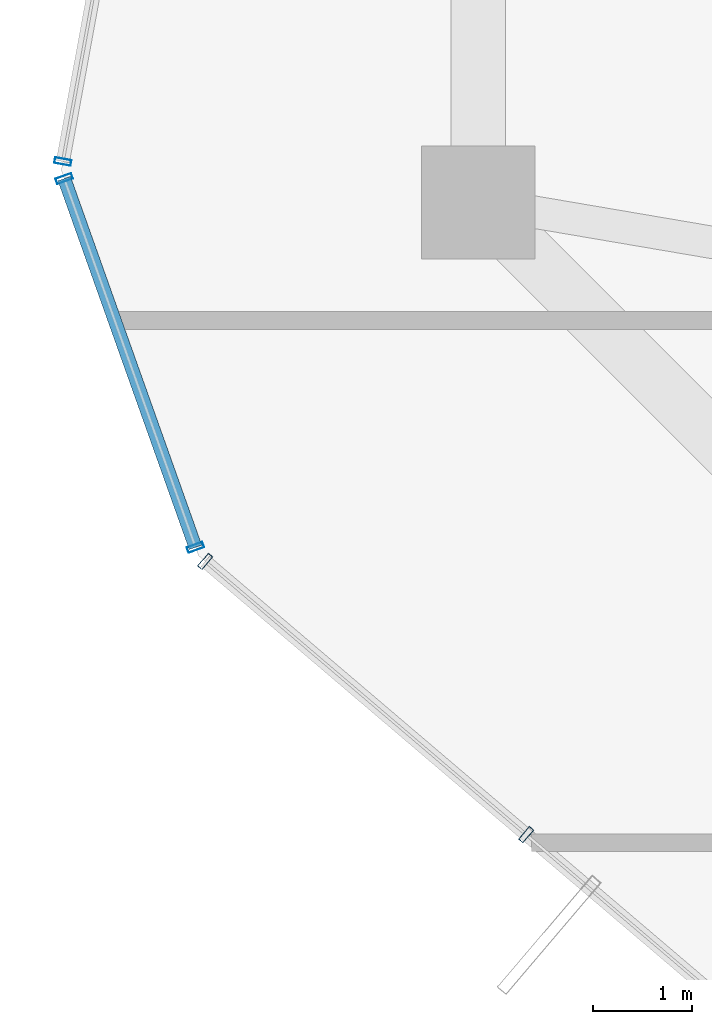
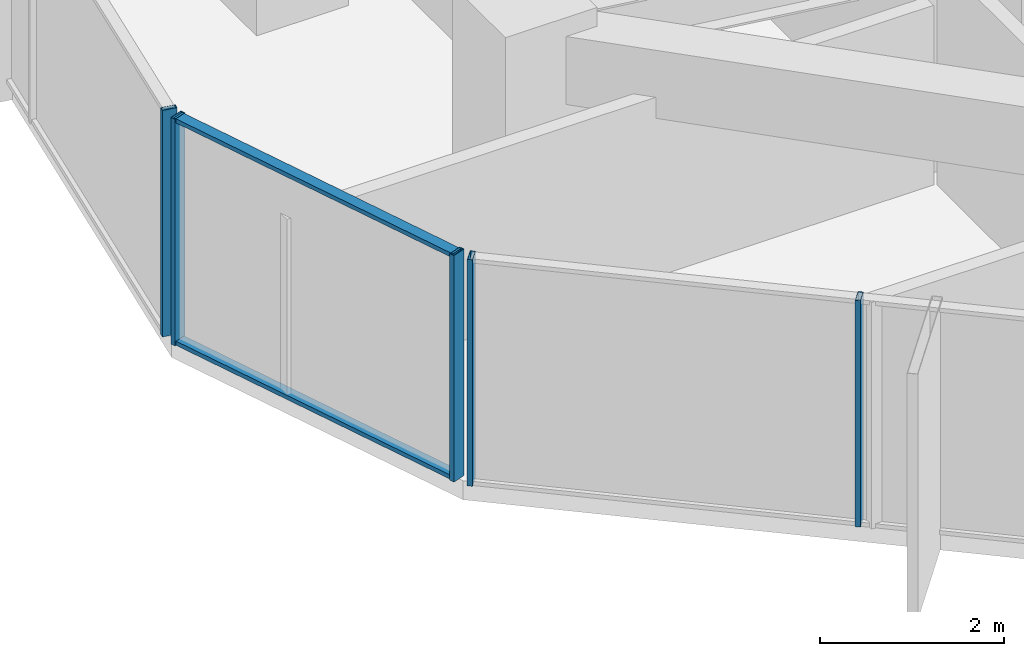
# One storey, part 5 of 33: 7 members, 3 elements without a shape of their own.
"""IFC4 building model written with IfcOpenShell, lengths in metres."""

import ifcopenshell
import ifcopenshell.guid

model = None  # the IFC model being written
_history = None  # IfcOwnerHistory: only IFC2X3 demands one
_inside = {}  # id of a spatial element -> (the spatial element, [elements in it])
_under = {}  # id of a project, library or spatial element -> (it, [spatial elements below it])
_declared = {}  # id of a project -> (the project, [libraries it declares])
_typed = {}  # id of a type object -> (the type object, [elements of that type])
_made_of = {}  # id of a material, layer set ... -> (it, [elements and type objects made of it])


def new_model(schema):
    """Start an empty IFC model of exactly this schema.

    Asked for "IFC4X3", IfcOpenShell would pick the latest addendum, in which some entities
    have other attributes; the version numbers below select the first issue.
    IFC2X3 requires an IfcOwnerHistory on every rooted entity: one is made here for all.
    """
    global model, _history
    if schema == "IFC4X3":
        model = ifcopenshell.file(schema_version=(4, 3, 0, 0))
    else:
        model = ifcopenshell.file(schema=schema)
    _inside.clear()
    _under.clear()
    _declared.clear()
    _typed.clear()
    _made_of.clear()
    _history = None
    if model.schema == "IFC2X3":
        org = make("IfcOrganization", Name="unknown")
        user = make(
            "IfcPersonAndOrganization",
            ThePerson=make("IfcPerson", FamilyName="unknown"),
            TheOrganization=org,
        )
        app = make(
            "IfcApplication",
            ApplicationDeveloper=org,
            Version="unknown",
            ApplicationFullName="unknown",
            ApplicationIdentifier="unknown",
        )
        _history = make(
            "IfcOwnerHistory",
            OwningUser=user,
            OwningApplication=app,
            ChangeAction="ADDED",
            CreationDate=0,
        )
    return model


def make(cls, **values):
    """One entity of the class cls with the attributes given. An attribute that is None is left unset."""
    return model.create_entity(
        cls, **{name: value for name, value in values.items() if value is not None}
    )


def rooted(cls, **values):
    """An entity with a GlobalId (a new one), such as an element, a storey or a relation."""
    return make(cls, GlobalId=ifcopenshell.guid.new(), OwnerHistory=_history, **values)


def si_unit(unit_type, name, prefix=None):
    """IfcSIUnit, for example si_unit("LENGTHUNIT", "METRE", prefix="MILLI")."""
    return make("IfcSIUnit", UnitType=unit_type, Prefix=prefix, Name=name)


def assignment(units):
    """IfcUnitAssignment: the units of a project."""
    return None if units is None else make("IfcUnitAssignment", Units=units)


def point(xyz):
    """IfcCartesianPoint."""
    return None if xyz is None else make("IfcCartesianPoint", Coordinates=xyz)


def direction(xyz):
    """IfcDirection."""
    return None if xyz is None else make("IfcDirection", DirectionRatios=xyz)


def frame(location, z_axis=None, x_axis=None):
    """IfcAxis2Placement3D, a coordinate frame: its origin and axes. An axis left out is left unset."""
    return make(
        "IfcAxis2Placement3D",
        Location=point(location),
        Axis=direction(z_axis),
        RefDirection=direction(x_axis),
    )


def frame_2d(location, x_axis=None):
    """IfcAxis2Placement2D, a coordinate frame in the plane: its origin and x axis."""
    return make(
        "IfcAxis2Placement2D", Location=point(location), RefDirection=direction(x_axis)
    )


def origin():
    """The frame at (0, 0, 0) with its axes left unset."""
    return frame((0.0, 0.0, 0.0))


def origin_2d():
    """The frame at (0, 0) in the plane with its x axis left unset."""
    return frame_2d((0.0, 0.0))


def place(relative_to, where):
    """IfcLocalPlacement: puts the frame where relative to a parent placement (None: the world)."""
    return make(
        "IfcLocalPlacement", PlacementRelTo=relative_to, RelativePlacement=where
    )


def context(
    kind, dimensions, precision=None, world=None, true_north=None, identifier=None
):
    """IfcGeometricRepresentationContext, for example the 3D "Model" context."""
    return make(
        "IfcGeometricRepresentationContext",
        ContextIdentifier=identifier,
        ContextType=kind,
        CoordinateSpaceDimension=dimensions,
        Precision=precision,
        WorldCoordinateSystem=world,
        TrueNorth=true_north,
    )


def subcontext(parent, identifier, kind, view, scale=None):
    """IfcGeometricRepresentationSubContext, for example "Body" below "Model"."""
    return make(
        "IfcGeometricRepresentationSubContext",
        ContextIdentifier=identifier,
        ContextType=kind,
        ParentContext=parent,
        TargetScale=scale,
        TargetView=view,
    )


def project(units=None, contexts=None):
    """IfcProject with its units and contexts."""
    return rooted(
        "IfcProject",
        Name="project",
        RepresentationContexts=contexts,
        UnitsInContext=assignment(units),
    )


def spatial(cls, under=None, at=None, **own):
    """A site, building, storey or space (cls), placed at a placement, below another one or the project."""
    s = rooted(cls, ObjectPlacement=at, **own)
    if under is not None:
        _under.setdefault(under.id(), (under, []))[1].append(s)
    return s


def profile(cls, at=None, kind="AREA", **sizes):
    """A parametric profile (cls). Its sizes go by their IFC names, for example OverallWidth=200.0."""
    return make(cls, ProfileType=kind, Position=at, **sizes)


def hollow_rectangle(**sizes):
    """IfcRectangleHollowProfileDef."""
    return profile("IfcRectangleHollowProfileDef", **sizes)


def extrude(swept, where, along, depth):
    """IfcExtrudedAreaSolid: the profile swept, set in the frame where, extruded along a direction by depth."""
    return make(
        "IfcExtrudedAreaSolid",
        SweptArea=swept,
        Position=where,
        ExtrudedDirection=direction(along),
        Depth=depth,
    )


def shape(context_of_items, identifier, shape_type, items):
    """IfcShapeRepresentation: the items that make up one representation, for example the "Body"."""
    return make(
        "IfcShapeRepresentation",
        ContextOfItems=context_of_items,
        RepresentationIdentifier=identifier,
        RepresentationType=shape_type,
        Items=items,
    )


def source(mapping_origin, context_of_items, identifier, shape_type, items):
    """IfcRepresentationMap: a shape defined once, which mapped items show again and again."""
    return make(
        "IfcRepresentationMap",
        MappingOrigin=mapping_origin,
        MappedRepresentation=shape(context_of_items, identifier, shape_type, items),
    )


def transform(
    local_origin,
    x_axis=None,
    y_axis=None,
    z_axis=None,
    scale=None,
    scale2=None,
    scale3=None,
    uniform=True,
):
    """IfcCartesianTransformationOperator3D, or its non-uniform kind. x_axis, y_axis, z_axis: its Axis1, 2, 3."""
    if uniform:
        return make(
            "IfcCartesianTransformationOperator3D",
            Axis1=direction(x_axis),
            Axis2=direction(y_axis),
            LocalOrigin=point(local_origin),
            Scale=scale,
            Axis3=direction(z_axis),
        )
    return make(
        "IfcCartesianTransformationOperator3DnonUniform",
        Axis1=direction(x_axis),
        Axis2=direction(y_axis),
        LocalOrigin=point(local_origin),
        Scale=scale,
        Axis3=direction(z_axis),
        Scale2=scale2,
        Scale3=scale3,
    )


def mapped(mapping_source, mapping_target):
    """IfcMappedItem: shows the shape of a source again, moved by a transform."""
    return make(
        "IfcMappedItem", MappingSource=mapping_source, MappingTarget=mapping_target
    )


def material(Name=None, Category=None):
    """IfcMaterial."""
    return make("IfcMaterial", Name=Name, Category=Category)


def layer(
    of_material, thickness, ventilated=None, Name=None, Category=None, Priority=None
):
    """IfcMaterialLayer: one layer of a wall or slab, of a material (None: an air gap)."""
    return make(
        "IfcMaterialLayer",
        Material=of_material,
        LayerThickness=thickness,
        IsVentilated=ventilated,
        Name=Name,
        Category=Category,
        Priority=Priority,
    )


def layer_set(layers, Name=None):
    """IfcMaterialLayerSet."""
    return make("IfcMaterialLayerSet", MaterialLayers=layers, LayerSetName=Name)


def material_profile(
    of_material, cross_section, Name=None, Category=None, Priority=None
):
    """IfcMaterialProfile: a cross section and its material."""
    return make(
        "IfcMaterialProfile",
        Name=Name,
        Material=of_material,
        Profile=cross_section,
        Priority=Priority,
        Category=Category,
    )


def profile_set(profiles, Name=None, composite=None):
    """IfcMaterialProfileSet."""
    return make(
        "IfcMaterialProfileSet",
        Name=Name,
        MaterialProfiles=profiles,
        CompositeProfile=composite,
    )


def made_of(thing, what):
    """Note that an element or type object is made of a material, layer set ...; save() writes the relation."""
    if what is not None:
        _made_of.setdefault(what.id(), (what, []))[1].append(thing)
    return thing


def type_object(cls, material=None, **own):
    """A type object (cls), such as IfcWallType, which elements share."""
    return made_of(rooted(cls, **own), material)


def element(
    cls,
    number,
    at=None,
    inside=None,
    cuts=None,
    type_object=None,
    material=None,
    context=None,
    identifier="Body",
    shape_type=None,
    held_by="IfcProductDefinitionShape",
    body=None,
    shapes=None,
    **own,
):
    """One element of the class cls, such as IfcWall. Its Tag is "e" and its number.

    at: its placement. inside: the storey or other place that contains it. cuts: it is an
    opening in that element (IfcRelVoidsElement). A single representation is given by context,
    identifier, shape_type and body (its items); several are given by shapes. held_by: the class
    of the entity that holds the representations. save() writes the other relations.
    """
    e = rooted(cls, Tag="e%d" % number, ObjectPlacement=at, **own)
    if body is not None:
        shapes = [shape(context, identifier, shape_type, body)]
    if shapes is not None:
        e.Representation = make(held_by, Representations=shapes)
    if inside is not None:
        _inside.setdefault(inside.id(), (inside, []))[1].append(e)
    if cuts is not None:
        rooted(
            "IfcRelVoidsElement", RelatingBuildingElement=cuts, RelatedOpeningElement=e
        )
    if type_object is not None:
        _typed.setdefault(type_object.id(), (type_object, []))[1].append(e)
    return made_of(e, material)


def aggregate(whole, parts):
    """IfcRelAggregates: a whole, such as a stair, and the parts it consists of."""
    return rooted("IfcRelAggregates", RelatingObject=whole, RelatedObjects=parts)


def save(model, path):
    """Write the relations noted so far, then the file.

    IfcRelAggregates (storeys below a building ...), IfcRelContainedInSpatialStructure (elements
    in a storey), IfcRelDefinesByType, IfcRelAssociatesMaterial and IfcRelDeclares: one each for
    every whole, place, type object, material and project.
    """
    for whole, parts in _under.values():
        aggregate(whole, parts)
    for where, things in _inside.values():
        rooted(
            "IfcRelContainedInSpatialStructure",
            RelatedElements=things,
            RelatingStructure=where,
        )
    for kind, things in _typed.values():
        rooted("IfcRelDefinesByType", RelatedObjects=things, RelatingType=kind)
    for what, things in _made_of.values():
        rooted("IfcRelAssociatesMaterial", RelatedObjects=things, RelatingMaterial=what)
    for by, libraries in _declared.values():
        rooted("IfcRelDeclares", RelatingContext=by, RelatedDefinitions=libraries)
    model.write(path)


model = new_model("IFC4")

# Units and contexts
model_context = context("Model", 3, precision=1e-05, world=origin(), true_north=direction((0.0, 1.0)))
body_context = subcontext(model_context, "Body", "Model", "MODEL_VIEW")
ifc_project = project(units=[si_unit("LENGTHUNIT", "METRE"), si_unit("AREAUNIT", "SQUARE_METRE"), si_unit("VOLUMEUNIT", "CUBIC_METRE"), si_unit("PLANEANGLEUNIT", "RADIAN"), si_unit("MASSUNIT", "GRAM", prefix="KILO")], contexts=[model_context])

# Site, building, storey
site_placement = place(None, origin())
site = spatial("IfcSite", under=ifc_project, at=site_placement, CompositionType="ELEMENT")
building_placement = place(site_placement, origin())
building = spatial("IfcBuilding", under=site, at=building_placement, Name="Veraguas Prism Commons", CompositionType="ELEMENT")
storey_placement = place(building_placement, frame((0.0, 0.0, 92.699951171875)))
storey = spatial("IfcBuildingStorey", under=building, at=storey_placement, Name="L25", CompositionType="ELEMENT", Elevation=92.699951171875)

# Curtain wall, member
ifc_material = material(Name="Anodised aluminium EN AW-6063 T6", Category="aluminium")
ifc_layer = layer(ifc_material, 0.169921875, Name="Unitised Flush Curtain Wall Zone 2", Category="aluminium")
ifc_layer_set = layer_set([ifc_layer], Name="Anodised aluminium EN AW-6063 T6")
curtain_wall_type = type_object("IfcCurtainWallType", Name="Unitised Flush Curtain Wall Zone 2", PredefinedType="NOTDEFINED", material=ifc_layer_set)
curtain_wall_1_placement = place(storey_placement, origin())
curtain_wall_1 = element("IfcCurtainWall", 1, at=curtain_wall_1_placement, inside=storey, type_object=curtain_wall_type, Name="Tower Facade Curtain Wall L25-F3", PredefinedType="NOTDEFINED")
ifc_material_profile_1 = material_profile(ifc_material, hollow_rectangle(XDim=0.06005859375, YDim=0.169921875, WallThickness=0.00390625, at=origin_2d()), Name="AL60X170X4")
ifc_profile_set_1 = profile_set([ifc_material_profile_1], Name="Anodised aluminium EN AW-6063 T6")
member_type_1 = type_object("IfcMemberType", Name="Curtain Wall Mullion Lower AL 60x170x4", PredefinedType="MULLION", material=ifc_profile_set_1)
shared_shape_1 = source(origin(), body_context, "Body", "SweptSolid", [
    extrude(hollow_rectangle(XDim=0.06005859375, YDim=0.169921875, WallThickness=0.00390625, at=origin_2d()), origin(), (0.0, 0.0, 1.0), 3.0),
])
member_1_placement = place(storey_placement, frame((3.58251953125, 19.0166015625, 0.0), z_axis=(0.0, 0.0, 1.0), x_axis=(-0.180522578562, -0.983570840677, 0.0)))
member_1 = element("IfcMember", 2, at=member_1_placement, type_object=member_type_1, Name="CW-Z2 Mullion 5", PredefinedType="MULLION", context=body_context, shape_type="MappedRepresentation", body=[
    mapped(shared_shape_1, transform((0.0, 0.0, 0.0), scale=1.0)),
])
aggregate(curtain_wall_1, [member_1])

# Curtain wall, members
curtain_wall_2_placement = place(storey_placement, origin())
curtain_wall_2 = element("IfcCurtainWall", 3, at=curtain_wall_2_placement, inside=storey, type_object=curtain_wall_type, Name="Tower Facade Curtain Wall L25-F4", PredefinedType="NOTDEFINED")
member_2_placement = place(storey_placement, frame((5.02783203125, 14.957275390625, 0.0), z_axis=(0.0, 0.0, 1.0), x_axis=(0.761540569897, -0.648117242789, 0.0)))
member_2 = element("IfcMember", 4, at=member_2_placement, type_object=member_type_1, Name="CW-Z2 Mullion 1", PredefinedType="MULLION", context=body_context, shape_type="MappedRepresentation", body=[
    mapped(shared_shape_1, transform((0.0, 0.0, 0.0), scale=1.0)),
])
member_3_placement = place(storey_placement, frame((8.286376953125, 12.184326171875, 0.0), z_axis=(0.0, 0.0, 1.0), x_axis=(0.761540569897, -0.648117242789, 0.0)))
member_3 = element("IfcMember", 5, at=member_3_placement, type_object=member_type_1, Name="CW-Z2 Mullion 2", PredefinedType="MULLION", context=body_context, shape_type="MappedRepresentation", body=[
    mapped(shared_shape_1, transform((0.0, 0.0, 0.0), scale=1.0)),
])
aggregate(curtain_wall_2, [member_2, member_3])

curtain_wall_3_placement = place(storey_placement, origin())
curtain_wall_3 = element("IfcCurtainWall", 6, at=curtain_wall_3_placement, inside=storey, type_object=curtain_wall_type, Name="Chamfer Curtain Wall L25-C4", PredefinedType="NOTDEFINED")
member_4_placement = place(storey_placement, frame((3.596435546875, 18.843505859375, 0.0), z_axis=(0.0, 0.0, 1.0), x_axis=(0.335443348735, -0.942060380119, 0.0)))
member_4 = element("IfcMember", 7, at=member_4_placement, type_object=member_type_1, Name="CW-Z2 Mullion 1", PredefinedType="MULLION", context=body_context, shape_type="MappedRepresentation", body=[
    mapped(shared_shape_1, transform((0.0, 0.0, 0.0), scale=1.0)),
])
member_5_placement = place(storey_placement, frame((4.92919921875, 15.100341796875, 0.0), z_axis=(0.0, 0.0, 1.0), x_axis=(0.335443348735, -0.942060380119, 0.0)))
member_5 = element("IfcMember", 8, at=member_5_placement, type_object=member_type_1, Name="CW-Z2 Mullion 2", PredefinedType="MULLION", context=body_context, shape_type="MappedRepresentation", body=[
    mapped(shared_shape_1, transform((0.0, 0.0, 0.0), scale=1.0)),
])
ifc_material_profile_2 = material_profile(ifc_material, hollow_rectangle(XDim=0.054931640625, YDim=0.135009765625, WallThickness=0.0029296875, at=origin_2d()), Name="AL55X135X3")
ifc_profile_set_2 = profile_set([ifc_material_profile_2], Name="Anodised aluminium EN AW-6063 T6")
member_type_2 = type_object("IfcMemberType", Name="Curtain Wall Transom Standard AL 55x135x3", PredefinedType="USERDEFINED", material=ifc_profile_set_2)
shared_shape_2 = source(origin(), body_context, "Body", "SweptSolid", [
    extrude(hollow_rectangle(XDim=0.054931640625, YDim=0.135009765625, WallThickness=0.0029296875, at=origin_2d()), origin(), (0.0, 0.0, 1.0), 3.973388671875),
])
member_6_placement = place(storey_placement, frame((3.596435546875, 18.843505859375, 0.027587890625), z_axis=(0.335425415636, -0.942066765439, 0.0), x_axis=(0.0, 0.0, 1.0)))
member_6 = element("IfcMember", 9, at=member_6_placement, type_object=member_type_2, Name="CW-Z2 Transom 1", ObjectType="TRANSOM", PredefinedType="USERDEFINED", context=body_context, shape_type="MappedRepresentation", body=[
    mapped(shared_shape_2, transform((0.0, 0.0, 0.0), scale=1.0)),
])
member_7_placement = place(storey_placement, frame((3.596435546875, 18.843505859375, 2.97265625), z_axis=(0.335425415636, -0.942066765439, 0.0), x_axis=(0.0, 0.0, 1.0)))
member_7 = element("IfcMember", 10, at=member_7_placement, type_object=member_type_2, Name="CW-Z2 Transom 2", ObjectType="TRANSOM", PredefinedType="USERDEFINED", context=body_context, shape_type="MappedRepresentation", body=[
    mapped(shared_shape_2, transform((0.0, 0.0, 0.0), scale=1.0)),
])
aggregate(curtain_wall_3, [member_4, member_5, member_6, member_7])

save(model, "model.ifc")
